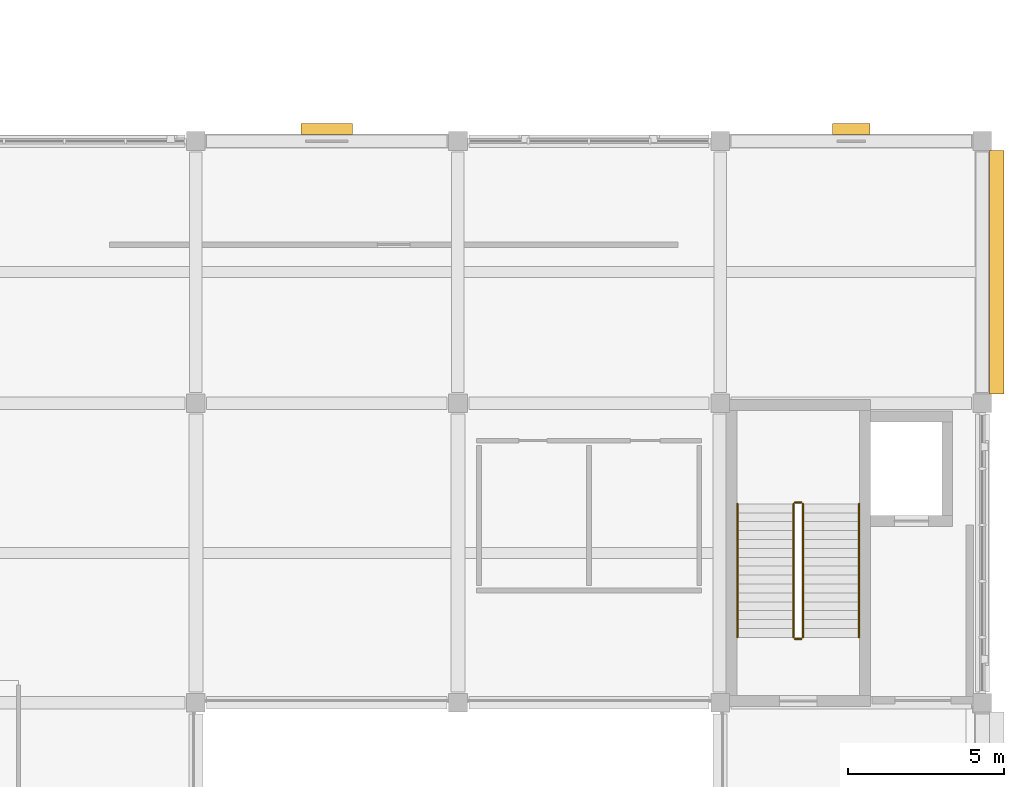
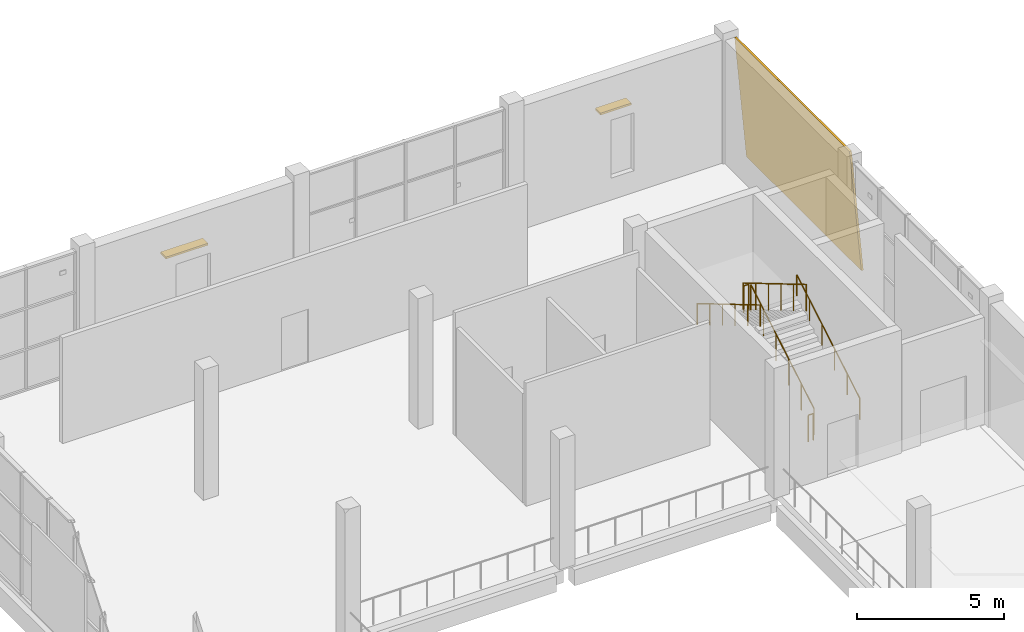
# One storey, part 57 of 57: 6 railings, 2 shading devices, 1 covering.
"""IFC4 building model written with IfcOpenShell, lengths in metres."""

from ifc_helpers import new_model, si_unit, direction, frame, origin, origin_2d, place, context, subcontext, project, spatial, polyline, rectangle, circle, outline, extrude, material, layer, layer_set, type_object, element, save


model = new_model("IFC4")

# Units and contexts
model_context = context("Model", 3, precision=1e-05, world=origin(), true_north=direction((0.0, 1.0)))
body_context = subcontext(model_context, "Body", "Model", "MODEL_VIEW")
ifc_project = project(units=[si_unit("LENGTHUNIT", "METRE"), si_unit("AREAUNIT", "SQUARE_METRE"), si_unit("VOLUMEUNIT", "CUBIC_METRE"), si_unit("PLANEANGLEUNIT", "RADIAN"), si_unit("MASSUNIT", "GRAM", prefix="KILO")], contexts=[model_context])

# Site, building, storey
site_placement = place(None, origin())
site = spatial("IfcSite", under=ifc_project, at=site_placement, CompositionType="ELEMENT")
building_placement = place(site_placement, origin())
building = spatial("IfcBuilding", under=site, at=building_placement, Name="Shalvenor Court Art Gallery", CompositionType="ELEMENT")
storey_placement = place(building_placement, frame((0.0, 0.0, 16.800048828125)))
storey = spatial("IfcBuildingStorey", under=building, at=storey_placement, Name="L03", CompositionType="ELEMENT", Elevation=16.800048828125)

# Covering
ifc_material_1 = material(Name="Pale Mediterranean limestone cladding", Category="masonry")
ifc_layer = layer(ifc_material_1, 0.080078125, Name="Pale Mediterranean limestone cladding")
ifc_layer_set = layer_set([ifc_layer], Name="Pale Mediterranean limestone cladding")
covering_type = type_object("IfcCoveringType", Name="CLD-01", PredefinedType="CLADDING", material=ifc_layer_set)
covering_placement = place(storey_placement, frame((177.093994140625, 89.10009765625, 0.0), z_axis=(0.0, 0.0, 1.0), x_axis=(0.0, 1.0, 0.0)))
element("IfcCovering", 1, at=covering_placement, inside=storey, type_object=covering_type, Name="L03 V1 Tapered Limestone Cladding 13", PredefinedType="CLADDING", context=body_context, shape_type="SweptSolid", body=[
    extrude(outline(polyline([(0.0, 0.0), (7.7998046875, 0.0), (7.7998046875, 5.120849609375), (0.0, 5.120849609375), (0.0, 0.0)])), frame((0.0, 0.0, 0.0), z_axis=(0.0, -0.995884398616, 0.090632580198), x_axis=(1.0, 0.0, 0.0)), (0.0, 0.090632580198, -0.995884398616), 0.080322265625),
])

# Railings
ifc_material_2 = material(Name="Painted steel post-and-rail guard", Category="steel")
railing_type_1 = type_object("IfcRailingType", Name="GR-02", PredefinedType="GUARDRAIL", material=ifc_material_2)
railing_1_placement = place(storey_placement, frame((170.64990234375, 81.300048828125, 0.168701171875)))
element("IfcRailing", 2, at=railing_1_placement, inside=storey, type_object=railing_type_1, Name="L03 ST-01 Stair Guard 1", PredefinedType="GUARDRAIL", context=body_context, shape_type="SweptSolid", body=[
    extrude(circle(Radius=0.02392578125, at=origin_2d()), frame((0.0, 0.0, 1.09619140625), z_axis=(0.0, 0.860470286479, 0.509500624227), x_axis=(-1.0, 0.0, 0.0)), (0.0, 0.0, 1.0), 4.968017578125),
    extrude(circle(Radius=0.02099609375, at=origin_2d()), origin(), (0.0, 0.0, 1.0), 1.072021484375),
    extrude(circle(Radius=0.02099609375, at=origin_2d()), frame((0.0, 0.85498046875, 0.50634765625)), (0.0, 0.0, 1.0), 1.072021484375),
    extrude(circle(Radius=0.02099609375, at=origin_2d()), frame((0.0, 1.7099609375, 1.012451171875)), (0.0, 0.0, 1.0), 1.072021484375),
    extrude(circle(Radius=0.02099609375, at=origin_2d()), frame((0.0, 2.56494140625, 1.518798828125)), (0.0, 0.0, 1.0), 1.072021484375),
    extrude(circle(Radius=0.02099609375, at=origin_2d()), frame((0.0, 3.419921875, 2.02490234375)), (0.0, 0.0, 1.0), 1.072021484375),
    extrude(circle(Radius=0.02099609375, at=origin_2d()), frame((0.0, 4.27490234375, 2.53125)), (0.0, 0.0, 1.0), 1.072021484375),
])
railing_2_placement = place(storey_placement, frame((170.60009765625, 85.625, 2.699951171875)))
element("IfcRailing", 3, at=railing_2_placement, inside=storey, type_object=railing_type_1, Name="L03 ST-01 Stair Guard 2", PredefinedType="GUARDRAIL", context=body_context, shape_type="SweptSolid", body=[
    extrude(circle(Radius=0.02392578125, at=origin_2d()), frame((0.0, 0.0, 1.09619140625), z_axis=(-1.0, 0.0, 0.0), x_axis=(0.0, -1.0, 0.0)), (0.0, 0.0, 1.0), 0.2001953125),
    extrude(circle(Radius=0.02099609375, at=origin_2d()), origin(), (0.0, 0.0, 1.0), 1.072021484375),
    extrude(circle(Radius=0.02099609375, at=origin_2d()), frame((-0.2001953125, 0.0, 0.0)), (0.0, 0.0, 1.0), 1.072021484375),
])
railing_3_placement = place(storey_placement, frame((170.35009765625, 85.574951171875, 2.86865234375)))
element("IfcRailing", 4, at=railing_3_placement, inside=storey, type_object=railing_type_1, Name="L03 ST-01 Stair Guard 3", PredefinedType="GUARDRAIL", context=body_context, shape_type="SweptSolid", body=[
    extrude(circle(Radius=0.02392578125, at=origin_2d()), frame((0.0, 0.0, 1.09619140625), z_axis=(0.0, -0.860470286479, 0.509500624227), x_axis=(1.0, 0.0, 0.0)), (0.0, 0.0, 1.0), 4.968017578125),
    extrude(circle(Radius=0.02099609375, at=origin_2d()), origin(), (0.0, 0.0, 1.0), 1.072021484375),
    extrude(circle(Radius=0.02099609375, at=origin_2d()), frame((0.0, -0.85498046875, 0.50634765625)), (0.0, 0.0, 1.0), 1.072021484375),
    extrude(circle(Radius=0.02099609375, at=origin_2d()), frame((0.0, -1.7099609375, 1.012451171875)), (0.0, 0.0, 1.0), 1.072021484375),
    extrude(circle(Radius=0.02099609375, at=origin_2d()), frame((0.0, -2.56494140625, 1.518798828125)), (0.0, 0.0, 1.0), 1.072021484375),
    extrude(circle(Radius=0.02099609375, at=origin_2d()), frame((0.0, -3.419921875, 2.02490234375)), (0.0, 0.0, 1.0), 1.072021484375),
    extrude(circle(Radius=0.02099609375, at=origin_2d()), frame((0.0, -4.27490234375, 2.53125)), (0.0, 0.0, 1.0), 1.072021484375),
])
railing_4_placement = place(storey_placement, frame((170.60009765625, 81.25, 0.0)))
element("IfcRailing", 5, at=railing_4_placement, inside=storey, type_object=railing_type_1, Name="L03 ST-01 Stair Guard 4", PredefinedType="GUARDRAIL", context=body_context, shape_type="SweptSolid", body=[
    extrude(circle(Radius=0.02392578125, at=origin_2d()), frame((0.0, 0.0, 1.09619140625), z_axis=(-1.0, 0.0, 0.0), x_axis=(0.0, -1.0, 0.0)), (0.0, 0.0, 1.0), 0.2001953125),
    extrude(circle(Radius=0.02099609375, at=origin_2d()), origin(), (0.0, 0.0, 1.0), 1.072021484375),
    extrude(circle(Radius=0.02099609375, at=origin_2d()), frame((-0.2001953125, 0.0, 0.0)), (0.0, 0.0, 1.0), 1.072021484375),
])
ifc_material_3 = material(Name="Brushed stainless steel handrail", Category="steel")
railing_type_2 = type_object("IfcRailingType", Name="HR-01", PredefinedType="HANDRAIL", material=ifc_material_3)
railing_5_placement = place(storey_placement, frame((172.449951171875, 81.300048828125, 0.168701171875)))
element("IfcRailing", 6, at=railing_5_placement, inside=storey, type_object=railing_type_2, Name="L03 ST-01 Stair Handrail 1", PredefinedType="HANDRAIL", context=body_context, shape_type="SweptSolid", body=[
    extrude(circle(Radius=0.02392578125, at=origin_2d()), frame((0.0, 0.0, 0.8759765625), z_axis=(0.0, 0.860470286479, 0.509500624227), x_axis=(-1.0, 0.0, 0.0)), (0.0, 0.0, 1.0), 4.968017578125),
    extrude(circle(Radius=0.02099609375, at=origin_2d()), origin(), (0.0, 0.0, 1.0), 0.851806640625),
    extrude(circle(Radius=0.02099609375, at=origin_2d()), frame((0.0, 0.85498046875, 0.50634765625)), (0.0, 0.0, 1.0), 0.851806640625),
    extrude(circle(Radius=0.02099609375, at=origin_2d()), frame((0.0, 1.7099609375, 1.012451171875)), (0.0, 0.0, 1.0), 0.851806640625),
    extrude(circle(Radius=0.02099609375, at=origin_2d()), frame((0.0, 2.56494140625, 1.518798828125)), (0.0, 0.0, 1.0), 0.851806640625),
    extrude(circle(Radius=0.02099609375, at=origin_2d()), frame((0.0, 3.419921875, 2.02490234375)), (0.0, 0.0, 1.0), 0.851806640625),
    extrude(circle(Radius=0.02099609375, at=origin_2d()), frame((0.0, 4.27490234375, 2.53125)), (0.0, 0.0, 1.0), 0.851806640625),
])
railing_6_placement = place(storey_placement, frame((168.550048828125, 85.574951171875, 2.86865234375)))
element("IfcRailing", 7, at=railing_6_placement, inside=storey, type_object=railing_type_2, Name="L03 ST-01 Stair Handrail 2", PredefinedType="HANDRAIL", context=body_context, shape_type="SweptSolid", body=[
    extrude(circle(Radius=0.02392578125, at=origin_2d()), frame((0.0, 0.0, 0.8759765625), z_axis=(0.0, -0.860470286479, 0.509500624227), x_axis=(1.0, 0.0, 0.0)), (0.0, 0.0, 1.0), 4.968017578125),
    extrude(circle(Radius=0.02099609375, at=origin_2d()), origin(), (0.0, 0.0, 1.0), 0.851806640625),
    extrude(circle(Radius=0.02099609375, at=origin_2d()), frame((0.0, -0.85498046875, 0.50634765625)), (0.0, 0.0, 1.0), 0.851806640625),
    extrude(circle(Radius=0.02099609375, at=origin_2d()), frame((0.0, -1.7099609375, 1.012451171875)), (0.0, 0.0, 1.0), 0.851806640625),
    extrude(circle(Radius=0.02099609375, at=origin_2d()), frame((0.0, -2.56494140625, 1.518798828125)), (0.0, 0.0, 1.0), 0.851806640625),
    extrude(circle(Radius=0.02099609375, at=origin_2d()), frame((0.0, -3.419921875, 2.02490234375)), (0.0, 0.0, 1.0), 0.851806640625),
    extrude(circle(Radius=0.02099609375, at=origin_2d()), frame((0.0, -4.27490234375, 2.53125)), (0.0, 0.0, 1.0), 0.851806640625),
])

# Shading devices
ifc_material_4 = material(Name="Dark anodised bronze aluminium louvre", Category="aluminium")
shading_device_type = type_object("IfcShadingDeviceType", Name="SHD-01", PredefinedType="JALOUSIE", material=ifc_material_4)
shading_device_1_placement = place(storey_placement, frame((155.39990234375, 97.590087890625, 3.2998046875), z_axis=(0.0, 0.0, 1.0), x_axis=(1.0, 0.0, 0.0)))
element("IfcShadingDevice", 8, at=shading_device_1_placement, inside=storey, type_object=shading_device_type, Name="L03 Koushi Window Sunshade 13", PredefinedType="JALOUSIE", context=body_context, shape_type="SweptSolid", body=[
    extrude(rectangle(XDim=1.64990234375, YDim=0.360107421875, at=origin_2d()), origin(), (0.0, 0.0, 1.0), 0.080078125),
])
shading_device_2_placement = place(storey_placement, frame((172.199951171875, 97.590087890625, 3.2998046875), z_axis=(0.0, 0.0, 1.0), x_axis=(1.0, 0.0, 0.0)))
element("IfcShadingDevice", 9, at=shading_device_2_placement, inside=storey, type_object=shading_device_type, Name="L03 Koushi Window Sunshade 14", PredefinedType="JALOUSIE", context=body_context, shape_type="SweptSolid", body=[
    extrude(rectangle(XDim=1.199951171875, YDim=0.360107421875, at=origin_2d()), origin(), (0.0, 0.0, 1.0), 0.080078125),
])

save(model, "model.ifc")
